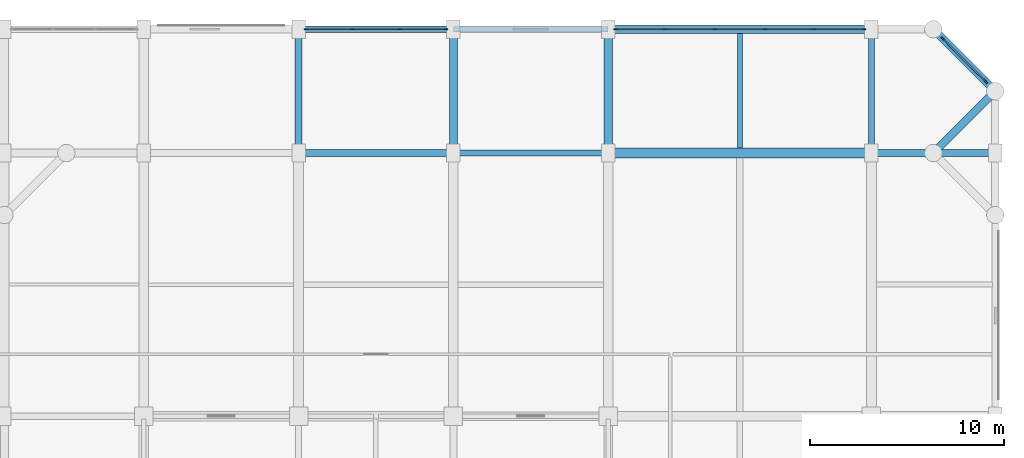
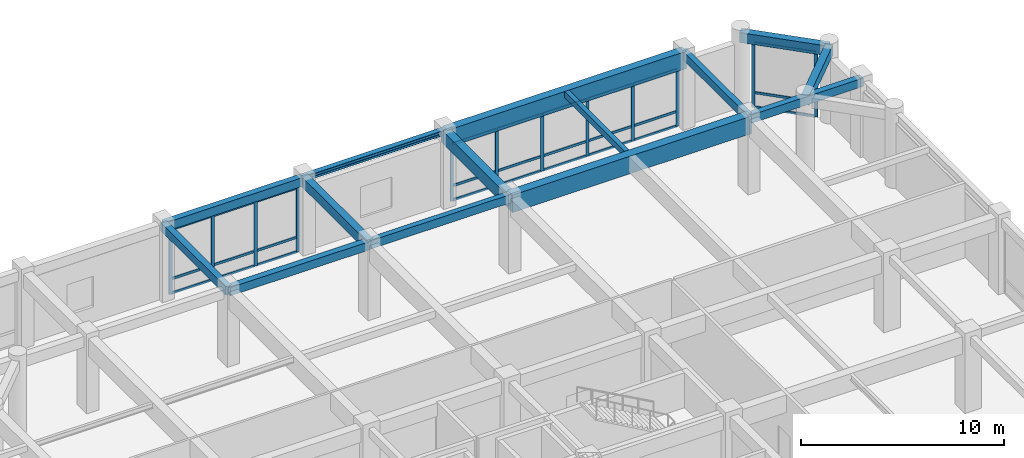
# One storey, part 35 of 61: 39 members, 14 beams, 3 elements without a shape of their own.
"""IFC4 building model written with IfcOpenShell, lengths in metres."""

from ifc_helpers import new_model, si_unit, direction, frame, origin, origin_2d, place, context, subcontext, project, spatial, rectangle, i_section, extrude, material, material_profile, profile_set, type_object, element, aggregate, save


model = new_model("IFC4")

# Units and contexts
model_context = context("Model", 3, precision=1e-05, world=origin(), true_north=direction((0.0, 1.0)))
body_context = subcontext(model_context, "Body", "Model", "MODEL_VIEW")
ifc_project = project(units=[si_unit("LENGTHUNIT", "METRE"), si_unit("AREAUNIT", "SQUARE_METRE"), si_unit("VOLUMEUNIT", "CUBIC_METRE"), si_unit("PLANEANGLEUNIT", "RADIAN"), si_unit("MASSUNIT", "GRAM", prefix="KILO")], contexts=[model_context])

# Site, building, storey
site_placement = place(None, origin())
site = spatial("IfcSite", under=ifc_project, at=site_placement, CompositionType="ELEMENT")
building_placement = place(site_placement, origin())
building = spatial("IfcBuilding", under=site, at=building_placement, Name="Vellmiral Cinema and Media Centre", CompositionType="ELEMENT")
storey_placement = place(building_placement, frame((0.0, 0.0, 10.800048828125)))
storey = spatial("IfcBuildingStorey", under=building, at=storey_placement, Name="L02", CompositionType="ELEMENT", Elevation=10.800048828125)

# Beams
ifc_material_1 = material(Name="Concrete C40/50", Category="concrete")
ifc_material_profile_1 = material_profile(ifc_material_1, rectangle(XDim=0.300048828125, YDim=0.5, at=origin_2d()), Name="RC 300x500")
ifc_profile_set_1 = profile_set([ifc_material_profile_1], Name="Concrete C40/50")
beam_type_1 = type_object("IfcBeamType", Name="BM-RC-300x500", PredefinedType="BEAM", material=ifc_profile_set_1)
beam_1_placement = place(storey_placement, frame((140.0, 108.800048828125, 4.244873046875), z_axis=(1.0, 0.0, 0.0), x_axis=(0.0, 1.0, 0.0)))
element("IfcBeam", 1, at=beam_1_placement, inside=storey, type_object=beam_type_1, Name="Grid Beam L02-X090", PredefinedType="BEAM", context=body_context, shape_type="SweptSolid", body=[
    extrude(rectangle(XDim=0.300048828125, YDim=0.5, at=origin_2d()), origin(), (0.0, 0.0, 1.0), 8.0),
])
beam_2_placement = place(storey_placement, frame((161.60009765625, 108.800048828125, 4.244873046875), z_axis=(0.0, 1.0, 0.0), x_axis=(-1.0, 0.0, 0.0)))
element("IfcBeam", 2, at=beam_2_placement, inside=storey, type_object=beam_type_1, Name="Grid Beam L02-Y192", PredefinedType="BEAM", context=body_context, shape_type="SweptSolid", body=[
    extrude(rectangle(XDim=0.300048828125, YDim=0.5, at=origin_2d()), origin(), (0.0, 0.0, 1.0), 6.39990234375),
])
ifc_material_2 = material(Name="Concrete C40/50", Category="concrete")
ifc_material_profile_2 = material_profile(ifc_material_2, rectangle(XDim=0.35009765625, YDim=0.5, at=origin_2d()), Name="RC 350x500")
ifc_profile_set_2 = profile_set([ifc_material_profile_2], Name="Concrete C40/50")
beam_type_2 = type_object("IfcBeamType", Name="BM-RC-350x500", PredefinedType="BEAM", material=ifc_profile_set_2)
beam_3_placement = place(storey_placement, frame((132.0, 108.800048828125, 4.244873046875), z_axis=(1.0, 0.0, 0.0), x_axis=(0.0, 1.0, 0.0)))
element("IfcBeam", 3, at=beam_3_placement, inside=storey, type_object=beam_type_2, Name="Grid Beam L02-X089", PredefinedType="BEAM", context=body_context, shape_type="SweptSolid", body=[
    extrude(rectangle(XDim=0.35009765625, YDim=0.5, at=origin_2d()), origin(), (0.0, 0.0, 1.0), 8.0),
])
for number, where, z_axis, x_axis, name in (
    (4, (161.60009765625, 108.800048828125, 4.244873046875), (1.0, 0.0, 0.0), (0.0, 1.0, 0.0), "Grid Beam L02-X092"),
    (5, (132.0, 108.800048828125, 4.244873046875), (0.0, 1.0, 0.0), (-1.0, 0.0, 0.0), "Grid Beam L02-Y169"),
):
    element("IfcBeam", number, at=place(storey_placement, frame(where, z_axis=z_axis, x_axis=x_axis)), inside=storey, type_object=beam_type_2, Name=name, PredefinedType="BEAM", context=body_context, shape_type="SweptSolid", body=[
        extrude(rectangle(XDim=0.35009765625, YDim=0.5, at=origin_2d()), origin(), (0.0, 0.0, 1.0), 6.39990234375),
    ])
ifc_material_3 = material(Name="Concrete C40/50", Category="concrete")
ifc_material_profile_3 = material_profile(ifc_material_3, rectangle(XDim=0.39990234375, YDim=0.60009765625, at=origin_2d()), Name="RC 400x600")
ifc_profile_set_3 = profile_set([ifc_material_profile_3], Name="Concrete C40/50")
beam_type_3 = type_object("IfcBeamType", Name="BM-RC-400x600", PredefinedType="BEAM", material=ifc_profile_set_3)
beam_4_placement = place(storey_placement, frame((140.0, 108.800048828125, 4.195068359375), z_axis=(0.0, 1.0, 0.0), x_axis=(-1.0, 0.0, 0.0)))
element("IfcBeam", 6, at=beam_4_placement, inside=storey, type_object=beam_type_3, Name="Grid Beam L02-Y177", PredefinedType="BEAM", context=body_context, shape_type="SweptSolid", body=[
    extrude(rectangle(XDim=0.39990234375, YDim=0.60009765625, at=origin_2d()), origin(), (0.0, 0.0, 1.0), 6.39990234375),
])
ifc_material_4 = material(Name="Concrete C40/50", Category="concrete")
ifc_material_profile_4 = material_profile(ifc_material_4, rectangle(XDim=0.449951171875, YDim=0.75, at=origin_2d()), Name="RC 450x750")
ifc_profile_set_4 = profile_set([ifc_material_profile_4], Name="Concrete C40/50")
beam_type_4 = type_object("IfcBeamType", Name="BM-RC-450x750", PredefinedType="BEAM", material=ifc_profile_set_4)
beam_5_placement = place(storey_placement, frame((148.0, 108.800048828125, 4.119873046875), z_axis=(0.0, 1.0, 0.0), x_axis=(-1.0, 0.0, 0.0)))
element("IfcBeam", 7, at=beam_5_placement, inside=storey, type_object=beam_type_4, Name="Grid Beam L02-Y185", PredefinedType="BEAM", context=body_context, shape_type="SweptSolid", body=[
    extrude(rectangle(XDim=0.449951171875, YDim=0.75, at=origin_2d()), origin(), (0.0, 0.0, 1.0), 6.39990234375),
])
ifc_material_5 = material(Name="Concrete C40/50", Category="concrete")
ifc_material_profile_5 = material_profile(ifc_material_5, rectangle(XDim=0.5, YDim=1.050048828125, at=origin_2d()), Name="RC 500x1050")
ifc_profile_set_5 = profile_set([ifc_material_profile_5], Name="Concrete C40/50")
beam_type_5 = type_object("IfcBeamType", Name="BM-RCG-500x1050", PredefinedType="BEAM", material=ifc_profile_set_5)
beam_6_placement = place(storey_placement, frame((148.0, 108.800048828125, 3.969970703125), z_axis=(1.0, 0.0, 0.0), x_axis=(0.0, 1.0, 0.0)))
element("IfcBeam", 8, at=beam_6_placement, inside=storey, type_object=beam_type_5, Name="Grid Beam L02-X091", PredefinedType="BEAM", context=body_context, shape_type="SweptSolid", body=[
    extrude(rectangle(XDim=0.5, YDim=1.050048828125, at=origin_2d()), origin(), (0.0, 0.0, 1.0), 13.60009765625),
])

# Curtain wall, members
ifc_material_6 = material(Name="Thermally Broken Aluminium and Triple Glazing", Category="aluminium")
curtain_wall_type = type_object("IfcCurtainWallType", Name="CW-LIB-BAY", PredefinedType="USERDEFINED", material=ifc_material_6)
curtain_wall_1_placement = place(storey_placement, origin())
curtain_wall_1 = element("IfcCurtainWall", 9, at=curtain_wall_1_placement, inside=storey, type_object=curtain_wall_type, Name="Curtain Wall L02-B051", ObjectType="STICK CURTAIN WALL", PredefinedType="USERDEFINED")
ifc_material_7 = material(Name="Thermally Broken Anodised Aluminium", Category="aluminium")
ifc_material_profile_6 = material_profile(ifc_material_7, rectangle(XDim=0.070068359375, YDim=0.179931640625, at=origin_2d()), Name="MULL 70x180")
ifc_profile_set_6 = profile_set([ifc_material_profile_6], Name="Thermally Broken Anodised Aluminium")
member_type_1 = type_object("IfcMemberType", Name="CWM-70x180", PredefinedType="MULLION", material=ifc_profile_set_6)
member_1_placement = place(storey_placement, frame((167.525146484375, 112.474853515625, 0.0), z_axis=(0.0, 0.0, 1.0), x_axis=(-0.707106781187, -0.707106781187, 0.0)))
member_1 = element("IfcMember", 10, at=member_1_placement, type_object=member_type_1, Name="CW-03 mullion 1", PredefinedType="MULLION", context=body_context, shape_type="SweptSolid", body=[
    extrude(rectangle(XDim=0.070068359375, YDim=0.179931640625, at=origin_2d()), origin(), (0.0, 0.0, 1.0), 3.89990234375),
])
member_2_placement = place(storey_placement, frame((165.274658203125, 114.725341796875, 0.0), z_axis=(0.0, 0.0, 1.0), x_axis=(-0.707106781187, -0.707106781187, 0.0)))
member_2 = element("IfcMember", 11, at=member_2_placement, type_object=member_type_1, Name="CW-03 mullion 2", PredefinedType="MULLION", context=body_context, shape_type="SweptSolid", body=[
    extrude(rectangle(XDim=0.070068359375, YDim=0.179931640625, at=origin_2d()), origin(), (0.0, 0.0, 1.0), 3.89990234375),
])

curtain_wall_2_placement = place(storey_placement, origin())
curtain_wall_2 = element("IfcCurtainWall", 12, at=curtain_wall_2_placement, inside=storey, type_object=curtain_wall_type, Name="Curtain Wall L02-B053", ObjectType="STICK CURTAIN WALL", PredefinedType="USERDEFINED")
member_3_placement = place(storey_placement, frame((161.215087890625, 115.199951171875, 0.0), z_axis=(0.0, 0.0, 1.0), x_axis=(0.0, -1.0, 0.0)))
member_3 = element("IfcMember", 13, at=member_3_placement, type_object=member_type_1, Name="CW-03 mullion 1", PredefinedType="MULLION", context=body_context, shape_type="SweptSolid", body=[
    extrude(rectangle(XDim=0.070068359375, YDim=0.179931640625, at=origin_2d()), origin(), (0.0, 0.0, 1.0), 3.43505859375),
])
member_4_placement = place(storey_placement, frame((158.669921875, 115.199951171875, 0.0), z_axis=(0.0, 0.0, 1.0), x_axis=(0.0, -1.0, 0.0)))
member_4 = element("IfcMember", 14, at=member_4_placement, type_object=member_type_1, Name="CW-03 mullion 2", PredefinedType="MULLION", context=body_context, shape_type="SweptSolid", body=[
    extrude(rectangle(XDim=0.070068359375, YDim=0.179931640625, at=origin_2d()), origin(), (0.0, 0.0, 1.0), 3.43505859375),
])
member_5_placement = place(storey_placement, frame((156.090087890625, 115.199951171875, 0.0), z_axis=(0.0, 0.0, 1.0), x_axis=(0.0, -1.0, 0.0)))
member_5 = element("IfcMember", 15, at=member_5_placement, type_object=member_type_1, Name="CW-03 mullion 3", PredefinedType="MULLION", context=body_context, shape_type="SweptSolid", body=[
    extrude(rectangle(XDim=0.070068359375, YDim=0.179931640625, at=origin_2d()), origin(), (0.0, 0.0, 1.0), 3.43505859375),
])
member_6_placement = place(storey_placement, frame((153.510009765625, 115.199951171875, 0.0), z_axis=(0.0, 0.0, 1.0), x_axis=(0.0, -1.0, 0.0)))
member_6 = element("IfcMember", 16, at=member_6_placement, type_object=member_type_1, Name="CW-03 mullion 4", PredefinedType="MULLION", context=body_context, shape_type="SweptSolid", body=[
    extrude(rectangle(XDim=0.070068359375, YDim=0.179931640625, at=origin_2d()), origin(), (0.0, 0.0, 1.0), 3.43505859375),
])
member_7_placement = place(storey_placement, frame((150.929931640625, 115.199951171875, 0.0), z_axis=(0.0, 0.0, 1.0), x_axis=(0.0, -1.0, 0.0)))
member_7 = element("IfcMember", 17, at=member_7_placement, type_object=member_type_1, Name="CW-03 mullion 5", PredefinedType="MULLION", context=body_context, shape_type="SweptSolid", body=[
    extrude(rectangle(XDim=0.070068359375, YDim=0.179931640625, at=origin_2d()), origin(), (0.0, 0.0, 1.0), 3.43505859375),
])
member_8_placement = place(storey_placement, frame((148.385009765625, 115.199951171875, 0.0), z_axis=(0.0, 0.0, 1.0), x_axis=(0.0, -1.0, 0.0)))
member_8 = element("IfcMember", 18, at=member_8_placement, type_object=member_type_1, Name="CW-03 mullion 6", PredefinedType="MULLION", context=body_context, shape_type="SweptSolid", body=[
    extrude(rectangle(XDim=0.070068359375, YDim=0.179931640625, at=origin_2d()), origin(), (0.0, 0.0, 1.0), 3.43505859375),
])

curtain_wall_3_placement = place(storey_placement, origin())
curtain_wall_3 = element("IfcCurtainWall", 19, at=curtain_wall_3_placement, inside=storey, type_object=curtain_wall_type, Name="Curtain Wall L02-B055", ObjectType="STICK CURTAIN WALL", PredefinedType="USERDEFINED")
member_9_placement = place(storey_placement, frame((139.614990234375, 115.199951171875, 0.0), z_axis=(0.0, 0.0, 1.0), x_axis=(0.0, -1.0, 0.0)))
member_9 = element("IfcMember", 20, at=member_9_placement, type_object=member_type_1, Name="CW-03 mullion 1", PredefinedType="MULLION", context=body_context, shape_type="SweptSolid", body=[
    extrude(rectangle(XDim=0.070068359375, YDim=0.179931640625, at=origin_2d()), origin(), (0.0, 0.0, 1.0), 3.89990234375),
])
member_10_placement = place(storey_placement, frame((137.216552734375, 115.199951171875, 0.0), z_axis=(0.0, 0.0, 1.0), x_axis=(0.0, -1.0, 0.0)))
member_10 = element("IfcMember", 21, at=member_10_placement, type_object=member_type_1, Name="CW-03 mullion 2", PredefinedType="MULLION", context=body_context, shape_type="SweptSolid", body=[
    extrude(rectangle(XDim=0.070068359375, YDim=0.179931640625, at=origin_2d()), origin(), (0.0, 0.0, 1.0), 3.89990234375),
])
member_11_placement = place(storey_placement, frame((134.783447265625, 115.199951171875, 0.0), z_axis=(0.0, 0.0, 1.0), x_axis=(0.0, -1.0, 0.0)))
member_11 = element("IfcMember", 22, at=member_11_placement, type_object=member_type_1, Name="CW-03 mullion 3", PredefinedType="MULLION", context=body_context, shape_type="SweptSolid", body=[
    extrude(rectangle(XDim=0.070068359375, YDim=0.179931640625, at=origin_2d()), origin(), (0.0, 0.0, 1.0), 3.89990234375),
])
member_12_placement = place(storey_placement, frame((132.385009765625, 115.199951171875, 0.0), z_axis=(0.0, 0.0, 1.0), x_axis=(0.0, -1.0, 0.0)))
member_12 = element("IfcMember", 23, at=member_12_placement, type_object=member_type_1, Name="CW-03 mullion 4", PredefinedType="MULLION", context=body_context, shape_type="SweptSolid", body=[
    extrude(rectangle(XDim=0.070068359375, YDim=0.179931640625, at=origin_2d()), origin(), (0.0, 0.0, 1.0), 3.89990234375),
])

# Member
ifc_material_8 = material(Name="Thermally Broken Anodised Aluminium", Category="aluminium")
ifc_material_profile_7 = material_profile(ifc_material_8, rectangle(XDim=0.070068359375, YDim=0.14990234375, at=origin_2d()), Name="MULL 70x150")
ifc_profile_set_7 = profile_set([ifc_material_profile_7], Name="Thermally Broken Anodised Aluminium")
member_type_2 = type_object("IfcMemberType", Name="CWT-70x150", PredefinedType="USERDEFINED", material=ifc_profile_set_7)
member_13_placement = place(storey_placement, frame((167.50048828125, 112.49951171875, 0.034912109375), z_axis=(-0.707106781187, 0.707106781187, 0.0), x_axis=(-0.707106781187, -0.707106781187, 0.0)))
member_13 = element("IfcMember", 24, at=member_13_placement, type_object=member_type_2, Name="CW-03 transom 1.1", ObjectType="TRANSOM", PredefinedType="USERDEFINED", context=body_context, shape_type="SweptSolid", body=[
    extrude(rectangle(XDim=0.070068359375, YDim=0.14990234375, at=origin_2d()), origin(), (0.0, 0.0, 1.0), 3.112548828125),
])

member_14_placement = place(storey_placement, frame((167.50048828125, 112.49951171875, 0.89990234375), z_axis=(-0.707106781187, 0.707106781187, 0.0), x_axis=(-0.707106781187, -0.707106781187, 0.0)))
member_14 = element("IfcMember", 25, at=member_14_placement, type_object=member_type_2, Name="CW-03 transom 1.2", ObjectType="TRANSOM", PredefinedType="USERDEFINED", context=body_context, shape_type="SweptSolid", body=[
    extrude(rectangle(XDim=0.070068359375, YDim=0.14990234375, at=origin_2d()), origin(), (0.0, 0.0, 1.0), 3.112548828125),
])

member_15_placement = place(storey_placement, frame((167.50048828125, 112.49951171875, 3.864990234375), z_axis=(-0.707106781187, 0.707106781187, 0.0), x_axis=(-0.707106781187, -0.707106781187, 0.0)))
member_15 = element("IfcMember", 26, at=member_15_placement, type_object=member_type_2, Name="CW-03 transom 1.3", ObjectType="TRANSOM", PredefinedType="USERDEFINED", context=body_context, shape_type="SweptSolid", body=[
    extrude(rectangle(XDim=0.070068359375, YDim=0.14990234375, at=origin_2d()), origin(), (0.0, 0.0, 1.0), 3.112548828125),
])

aggregate(curtain_wall_1, [member_1, member_2, member_13, member_14, member_15])

member_16_placement = place(storey_placement, frame((161.179931640625, 115.199951171875, 0.034912109375), z_axis=(-1.0, 0.0, 0.0), x_axis=(0.0, -1.0, 0.0)))
member_16 = element("IfcMember", 27, at=member_16_placement, type_object=member_type_2, Name="CW-03 transom 1.1", ObjectType="TRANSOM", PredefinedType="USERDEFINED", context=body_context, shape_type="SweptSolid", body=[
    extrude(rectangle(XDim=0.070068359375, YDim=0.14990234375, at=origin_2d()), origin(), (0.0, 0.0, 1.0), 2.474853515625),
])

member_17_placement = place(storey_placement, frame((161.179931640625, 115.199951171875, 0.89990234375), z_axis=(-1.0, 0.0, 0.0), x_axis=(0.0, -1.0, 0.0)))
member_17 = element("IfcMember", 28, at=member_17_placement, type_object=member_type_2, Name="CW-03 transom 1.2", ObjectType="TRANSOM", PredefinedType="USERDEFINED", context=body_context, shape_type="SweptSolid", body=[
    extrude(rectangle(XDim=0.070068359375, YDim=0.14990234375, at=origin_2d()), origin(), (0.0, 0.0, 1.0), 2.474853515625),
])

member_18_placement = place(storey_placement, frame((161.179931640625, 115.199951171875, 3.39990234375), z_axis=(-1.0, 0.0, 0.0), x_axis=(0.0, -1.0, 0.0)))
member_18 = element("IfcMember", 29, at=member_18_placement, type_object=member_type_2, Name="CW-03 transom 1.3", ObjectType="TRANSOM", PredefinedType="USERDEFINED", context=body_context, shape_type="SweptSolid", body=[
    extrude(rectangle(XDim=0.070068359375, YDim=0.14990234375, at=origin_2d()), origin(), (0.0, 0.0, 1.0), 2.474853515625),
])

member_19_placement = place(storey_placement, frame((158.635009765625, 115.199951171875, 0.034912109375), z_axis=(-1.0, 0.0, 0.0), x_axis=(0.0, -1.0, 0.0)))
member_19 = element("IfcMember", 30, at=member_19_placement, type_object=member_type_2, Name="CW-03 transom 2.1", ObjectType="TRANSOM", PredefinedType="USERDEFINED", context=body_context, shape_type="SweptSolid", body=[
    extrude(rectangle(XDim=0.070068359375, YDim=0.14990234375, at=origin_2d()), origin(), (0.0, 0.0, 1.0), 2.510009765625),
])

member_20_placement = place(storey_placement, frame((158.635009765625, 115.199951171875, 0.89990234375), z_axis=(-1.0, 0.0, 0.0), x_axis=(0.0, -1.0, 0.0)))
member_20 = element("IfcMember", 31, at=member_20_placement, type_object=member_type_2, Name="CW-03 transom 2.2", ObjectType="TRANSOM", PredefinedType="USERDEFINED", context=body_context, shape_type="SweptSolid", body=[
    extrude(rectangle(XDim=0.070068359375, YDim=0.14990234375, at=origin_2d()), origin(), (0.0, 0.0, 1.0), 2.510009765625),
])

member_21_placement = place(storey_placement, frame((158.635009765625, 115.199951171875, 3.39990234375), z_axis=(-1.0, 0.0, 0.0), x_axis=(0.0, -1.0, 0.0)))
member_21 = element("IfcMember", 32, at=member_21_placement, type_object=member_type_2, Name="CW-03 transom 2.3", ObjectType="TRANSOM", PredefinedType="USERDEFINED", context=body_context, shape_type="SweptSolid", body=[
    extrude(rectangle(XDim=0.070068359375, YDim=0.14990234375, at=origin_2d()), origin(), (0.0, 0.0, 1.0), 2.510009765625),
])

member_22_placement = place(storey_placement, frame((156.054931640625, 115.199951171875, 0.034912109375), z_axis=(-1.0, 0.0, 0.0), x_axis=(0.0, -1.0, 0.0)))
member_22 = element("IfcMember", 33, at=member_22_placement, type_object=member_type_2, Name="CW-03 transom 3.1", ObjectType="TRANSOM", PredefinedType="USERDEFINED", context=body_context, shape_type="SweptSolid", body=[
    extrude(rectangle(XDim=0.070068359375, YDim=0.14990234375, at=origin_2d()), origin(), (0.0, 0.0, 1.0), 2.510009765625),
])

member_23_placement = place(storey_placement, frame((156.054931640625, 115.199951171875, 0.89990234375), z_axis=(-1.0, 0.0, 0.0), x_axis=(0.0, -1.0, 0.0)))
member_23 = element("IfcMember", 34, at=member_23_placement, type_object=member_type_2, Name="CW-03 transom 3.2", ObjectType="TRANSOM", PredefinedType="USERDEFINED", context=body_context, shape_type="SweptSolid", body=[
    extrude(rectangle(XDim=0.070068359375, YDim=0.14990234375, at=origin_2d()), origin(), (0.0, 0.0, 1.0), 2.510009765625),
])

member_24_placement = place(storey_placement, frame((156.054931640625, 115.199951171875, 3.39990234375), z_axis=(-1.0, 0.0, 0.0), x_axis=(0.0, -1.0, 0.0)))
member_24 = element("IfcMember", 35, at=member_24_placement, type_object=member_type_2, Name="CW-03 transom 3.3", ObjectType="TRANSOM", PredefinedType="USERDEFINED", context=body_context, shape_type="SweptSolid", body=[
    extrude(rectangle(XDim=0.070068359375, YDim=0.14990234375, at=origin_2d()), origin(), (0.0, 0.0, 1.0), 2.510009765625),
])

member_25_placement = place(storey_placement, frame((153.47509765625, 115.199951171875, 0.034912109375), z_axis=(-1.0, 0.0, 0.0), x_axis=(0.0, -1.0, 0.0)))
member_25 = element("IfcMember", 36, at=member_25_placement, type_object=member_type_2, Name="CW-03 transom 4.1", ObjectType="TRANSOM", PredefinedType="USERDEFINED", context=body_context, shape_type="SweptSolid", body=[
    extrude(rectangle(XDim=0.070068359375, YDim=0.14990234375, at=origin_2d()), origin(), (0.0, 0.0, 1.0), 2.510009765625),
])

member_26_placement = place(storey_placement, frame((153.47509765625, 115.199951171875, 0.89990234375), z_axis=(-1.0, 0.0, 0.0), x_axis=(0.0, -1.0, 0.0)))
member_26 = element("IfcMember", 37, at=member_26_placement, type_object=member_type_2, Name="CW-03 transom 4.2", ObjectType="TRANSOM", PredefinedType="USERDEFINED", context=body_context, shape_type="SweptSolid", body=[
    extrude(rectangle(XDim=0.070068359375, YDim=0.14990234375, at=origin_2d()), origin(), (0.0, 0.0, 1.0), 2.510009765625),
])

member_27_placement = place(storey_placement, frame((153.47509765625, 115.199951171875, 3.39990234375), z_axis=(-1.0, 0.0, 0.0), x_axis=(0.0, -1.0, 0.0)))
member_27 = element("IfcMember", 38, at=member_27_placement, type_object=member_type_2, Name="CW-03 transom 4.3", ObjectType="TRANSOM", PredefinedType="USERDEFINED", context=body_context, shape_type="SweptSolid", body=[
    extrude(rectangle(XDim=0.070068359375, YDim=0.14990234375, at=origin_2d()), origin(), (0.0, 0.0, 1.0), 2.510009765625),
])

member_28_placement = place(storey_placement, frame((150.89501953125, 115.199951171875, 0.034912109375), z_axis=(-1.0, 0.0, 0.0), x_axis=(0.0, -1.0, 0.0)))
member_28 = element("IfcMember", 39, at=member_28_placement, type_object=member_type_2, Name="CW-03 transom 5.1", ObjectType="TRANSOM", PredefinedType="USERDEFINED", context=body_context, shape_type="SweptSolid", body=[
    extrude(rectangle(XDim=0.070068359375, YDim=0.14990234375, at=origin_2d()), origin(), (0.0, 0.0, 1.0), 2.47509765625),
])

member_29_placement = place(storey_placement, frame((150.89501953125, 115.199951171875, 0.89990234375), z_axis=(-1.0, 0.0, 0.0), x_axis=(0.0, -1.0, 0.0)))
member_29 = element("IfcMember", 40, at=member_29_placement, type_object=member_type_2, Name="CW-03 transom 5.2", ObjectType="TRANSOM", PredefinedType="USERDEFINED", context=body_context, shape_type="SweptSolid", body=[
    extrude(rectangle(XDim=0.070068359375, YDim=0.14990234375, at=origin_2d()), origin(), (0.0, 0.0, 1.0), 2.47509765625),
])

member_30_placement = place(storey_placement, frame((150.89501953125, 115.199951171875, 3.39990234375), z_axis=(-1.0, 0.0, 0.0), x_axis=(0.0, -1.0, 0.0)))
member_30 = element("IfcMember", 41, at=member_30_placement, type_object=member_type_2, Name="CW-03 transom 5.3", ObjectType="TRANSOM", PredefinedType="USERDEFINED", context=body_context, shape_type="SweptSolid", body=[
    extrude(rectangle(XDim=0.070068359375, YDim=0.14990234375, at=origin_2d()), origin(), (0.0, 0.0, 1.0), 2.47509765625),
])

aggregate(curtain_wall_2, [member_3, member_4, member_5, member_6, member_7, member_8, member_16, member_17, member_18, member_19, member_20, member_21, member_22, member_23, member_24, member_25, member_26, member_27, member_28, member_29, member_30])

member_31_placement = place(storey_placement, frame((139.580078125, 115.199951171875, 0.034912109375), z_axis=(-1.0, 0.0, 0.0), x_axis=(0.0, -1.0, 0.0)))
member_31 = element("IfcMember", 42, at=member_31_placement, type_object=member_type_2, Name="CW-03 transom 1.1", ObjectType="TRANSOM", PredefinedType="USERDEFINED", context=body_context, shape_type="SweptSolid", body=[
    extrude(rectangle(XDim=0.070068359375, YDim=0.14990234375, at=origin_2d()), origin(), (0.0, 0.0, 1.0), 2.328369140625),
])

member_32_placement = place(storey_placement, frame((139.580078125, 115.199951171875, 0.89990234375), z_axis=(-1.0, 0.0, 0.0), x_axis=(0.0, -1.0, 0.0)))
member_32 = element("IfcMember", 43, at=member_32_placement, type_object=member_type_2, Name="CW-03 transom 1.2", ObjectType="TRANSOM", PredefinedType="USERDEFINED", context=body_context, shape_type="SweptSolid", body=[
    extrude(rectangle(XDim=0.070068359375, YDim=0.14990234375, at=origin_2d()), origin(), (0.0, 0.0, 1.0), 2.328369140625),
])

member_33_placement = place(storey_placement, frame((139.580078125, 115.199951171875, 3.864990234375), z_axis=(-1.0, 0.0, 0.0), x_axis=(0.0, -1.0, 0.0)))
member_33 = element("IfcMember", 44, at=member_33_placement, type_object=member_type_2, Name="CW-03 transom 1.3", ObjectType="TRANSOM", PredefinedType="USERDEFINED", context=body_context, shape_type="SweptSolid", body=[
    extrude(rectangle(XDim=0.070068359375, YDim=0.14990234375, at=origin_2d()), origin(), (0.0, 0.0, 1.0), 2.328369140625),
])

member_34_placement = place(storey_placement, frame((137.181640625, 115.199951171875, 0.034912109375), z_axis=(-1.0, 0.0, 0.0), x_axis=(0.0, -1.0, 0.0)))
member_34 = element("IfcMember", 45, at=member_34_placement, type_object=member_type_2, Name="CW-03 transom 2.1", ObjectType="TRANSOM", PredefinedType="USERDEFINED", context=body_context, shape_type="SweptSolid", body=[
    extrude(rectangle(XDim=0.070068359375, YDim=0.14990234375, at=origin_2d()), origin(), (0.0, 0.0, 1.0), 2.36328125),
])

member_35_placement = place(storey_placement, frame((137.181640625, 115.199951171875, 0.89990234375), z_axis=(-1.0, 0.0, 0.0), x_axis=(0.0, -1.0, 0.0)))
member_35 = element("IfcMember", 46, at=member_35_placement, type_object=member_type_2, Name="CW-03 transom 2.2", ObjectType="TRANSOM", PredefinedType="USERDEFINED", context=body_context, shape_type="SweptSolid", body=[
    extrude(rectangle(XDim=0.070068359375, YDim=0.14990234375, at=origin_2d()), origin(), (0.0, 0.0, 1.0), 2.36328125),
])

member_36_placement = place(storey_placement, frame((137.181640625, 115.199951171875, 3.864990234375), z_axis=(-1.0, 0.0, 0.0), x_axis=(0.0, -1.0, 0.0)))
member_36 = element("IfcMember", 47, at=member_36_placement, type_object=member_type_2, Name="CW-03 transom 2.3", ObjectType="TRANSOM", PredefinedType="USERDEFINED", context=body_context, shape_type="SweptSolid", body=[
    extrude(rectangle(XDim=0.070068359375, YDim=0.14990234375, at=origin_2d()), origin(), (0.0, 0.0, 1.0), 2.36328125),
])

member_37_placement = place(storey_placement, frame((134.748291015625, 115.199951171875, 0.034912109375), z_axis=(-1.0, 0.0, 0.0), x_axis=(0.0, -1.0, 0.0)))
member_37 = element("IfcMember", 48, at=member_37_placement, type_object=member_type_2, Name="CW-03 transom 3.1", ObjectType="TRANSOM", PredefinedType="USERDEFINED", context=body_context, shape_type="SweptSolid", body=[
    extrude(rectangle(XDim=0.070068359375, YDim=0.14990234375, at=origin_2d()), origin(), (0.0, 0.0, 1.0), 2.328369140625),
])

member_38_placement = place(storey_placement, frame((134.748291015625, 115.199951171875, 0.89990234375), z_axis=(-1.0, 0.0, 0.0), x_axis=(0.0, -1.0, 0.0)))
member_38 = element("IfcMember", 49, at=member_38_placement, type_object=member_type_2, Name="CW-03 transom 3.2", ObjectType="TRANSOM", PredefinedType="USERDEFINED", context=body_context, shape_type="SweptSolid", body=[
    extrude(rectangle(XDim=0.070068359375, YDim=0.14990234375, at=origin_2d()), origin(), (0.0, 0.0, 1.0), 2.328369140625),
])

member_39_placement = place(storey_placement, frame((134.748291015625, 115.199951171875, 3.864990234375), z_axis=(-1.0, 0.0, 0.0), x_axis=(0.0, -1.0, 0.0)))
member_39 = element("IfcMember", 50, at=member_39_placement, type_object=member_type_2, Name="CW-03 transom 3.3", ObjectType="TRANSOM", PredefinedType="USERDEFINED", context=body_context, shape_type="SweptSolid", body=[
    extrude(rectangle(XDim=0.070068359375, YDim=0.14990234375, at=origin_2d()), origin(), (0.0, 0.0, 1.0), 2.328369140625),
])

aggregate(curtain_wall_3, [member_9, member_10, member_11, member_12, member_31, member_32, member_33, member_34, member_35, member_36, member_37, member_38, member_39])

# Beams
ifc_material_9 = material(Name="Concrete C40/50", Category="concrete")
ifc_material_profile_8 = material_profile(ifc_material_9, rectangle(XDim=0.260009765625, YDim=0.3798828125, at=origin_2d()), Name="RC 260x380")
ifc_profile_set_8 = profile_set([ifc_material_profile_8], Name="Concrete C40/50")
beam_type_6 = type_object("IfcBeamType", Name="JST-RC-260x380", PredefinedType="JOIST", material=ifc_profile_set_8)
beam_7_placement = place(storey_placement, frame((154.800048828125, 109.050048828125, 4.304931640625), z_axis=(0.0, 1.0, 0.0), x_axis=(-1.0, 0.0, 0.0)))
element("IfcBeam", 51, at=beam_7_placement, inside=storey, type_object=beam_type_6, Name="Secondary Floor Joist L02-024", PredefinedType="JOIST", context=body_context, shape_type="SweptSolid", body=[
    extrude(rectangle(XDim=0.260009765625, YDim=0.3798828125, at=origin_2d()), origin(), (0.0, 0.0, 1.0), 5.925048828125),
])
ifc_material_10 = material(Name="Steel S355", Category="steel")
ifc_material_profile_9 = material_profile(ifc_material_10, i_section(OverallWidth=0.300048828125, OverallDepth=0.300048828125, WebThickness=0.010986328125, FlangeThickness=0.01904296875, FilletRadius=0.027099609375, at=origin_2d()), Name="HEB 300")
ifc_profile_set_9 = profile_set([ifc_material_profile_9], Name="Steel S355")
beam_type_7 = type_object("IfcBeamType", Name="SBM-HEB300", PredefinedType="SPANDREL", material=ifc_profile_set_9)
beam_8_placement = place(storey_placement, frame((140.0, 115.199951171875, 4.344970703125), z_axis=(1.0, 0.0, 0.0), x_axis=(0.0, 1.0, 0.0)))
element("IfcBeam", 52, at=beam_8_placement, inside=storey, type_object=beam_type_7, Name="Grid Beam L02-X097", PredefinedType="SPANDREL", context=body_context, shape_type="SweptSolid", body=[
    extrude(i_section(OverallWidth=0.300048828125, OverallDepth=0.300048828125, WebThickness=0.010986328125, FlangeThickness=0.01904296875, FilletRadius=0.027099609375, at=origin_2d()), origin(), (0.0, 0.0, 1.0), 8.0),
])
ifc_material_11 = material(Name="Concrete C40/50", Category="concrete")
ifc_material_profile_10 = material_profile(ifc_material_11, rectangle(XDim=0.39990234375, YDim=0.60009765625, at=origin_2d()), Name="RC 400x600")
ifc_profile_set_10 = profile_set([ifc_material_profile_10], Name="Concrete C40/50")
beam_type_8 = type_object("IfcBeamType", Name="SPD-RC-400x600", PredefinedType="SPANDREL", material=ifc_profile_set_10)
for number, where, z_axis, x_axis, name in (
    (53, (164.800048828125, 108.800048828125, 4.195068359375), (0.707106781187, 0.707106781187, 0.0), (-0.707106781187, 0.707106781187, 0.0), "Xamfra Chamfer Spandrel Beam L02-202"),
    (54, (164.800048828125, 115.199951171875, 4.195068359375), (0.707106781187, -0.707106781187, 0.0), (0.707106781187, 0.707106781187, 0.0), "Xamfra Chamfer Spandrel Beam L02-203"),
):
    element("IfcBeam", number, at=place(storey_placement, frame(where, z_axis=z_axis, x_axis=x_axis)), inside=storey, type_object=beam_type_8, Name=name, PredefinedType="SPANDREL", context=body_context, shape_type="SweptSolid", body=[
        extrude(rectangle(XDim=0.39990234375, YDim=0.60009765625, at=origin_2d()), origin(), (0.0, 0.0, 1.0), 4.525390625),
    ])
ifc_material_12 = material(Name="Concrete C40/50", Category="concrete")
ifc_material_profile_11 = material_profile(ifc_material_12, rectangle(XDim=0.449951171875, YDim=1.050048828125, at=origin_2d()), Name="RC 450x1050")
ifc_profile_set_11 = profile_set([ifc_material_profile_11], Name="Concrete C40/50")
beam_type_9 = type_object("IfcBeamType", Name="SPD-RCG-450x1050", PredefinedType="SPANDREL", material=ifc_profile_set_11)
beam_9_placement = place(storey_placement, frame((148.0, 115.199951171875, 3.969970703125), z_axis=(1.0, 0.0, 0.0), x_axis=(0.0, 1.0, 0.0)))
element("IfcBeam", 55, at=beam_9_placement, inside=storey, type_object=beam_type_9, Name="Grid Beam L02-X098", PredefinedType="SPANDREL", context=body_context, shape_type="SweptSolid", body=[
    extrude(rectangle(XDim=0.449951171875, YDim=1.050048828125, at=origin_2d()), origin(), (0.0, 0.0, 1.0), 13.60009765625),
])
ifc_material_13 = material(Name="Vosges Red Sandstone Masonry", Category="masonry")
ifc_material_profile_12 = material_profile(ifc_material_13, rectangle(XDim=0.340087890625, YDim=0.52001953125, at=origin_2d()), Name="SAND 340x520")
ifc_profile_set_12 = profile_set([ifc_material_profile_12], Name="Vosges Red Sandstone Masonry")
beam_type_10 = type_object("IfcBeamType", Name="SPD-SAND-340x520", PredefinedType="SPANDREL", material=ifc_profile_set_12)
beam_10_placement = place(storey_placement, frame((132.0, 115.199951171875, 4.23486328125), z_axis=(1.0, 0.0, 0.0), x_axis=(0.0, 1.0, 0.0)))
element("IfcBeam", 56, at=beam_10_placement, inside=storey, type_object=beam_type_10, Name="Grid Beam L02-X096", PredefinedType="SPANDREL", context=body_context, shape_type="SweptSolid", body=[
    extrude(rectangle(XDim=0.340087890625, YDim=0.52001953125, at=origin_2d()), origin(), (0.0, 0.0, 1.0), 8.0),
])

save(model, "model.ifc")
